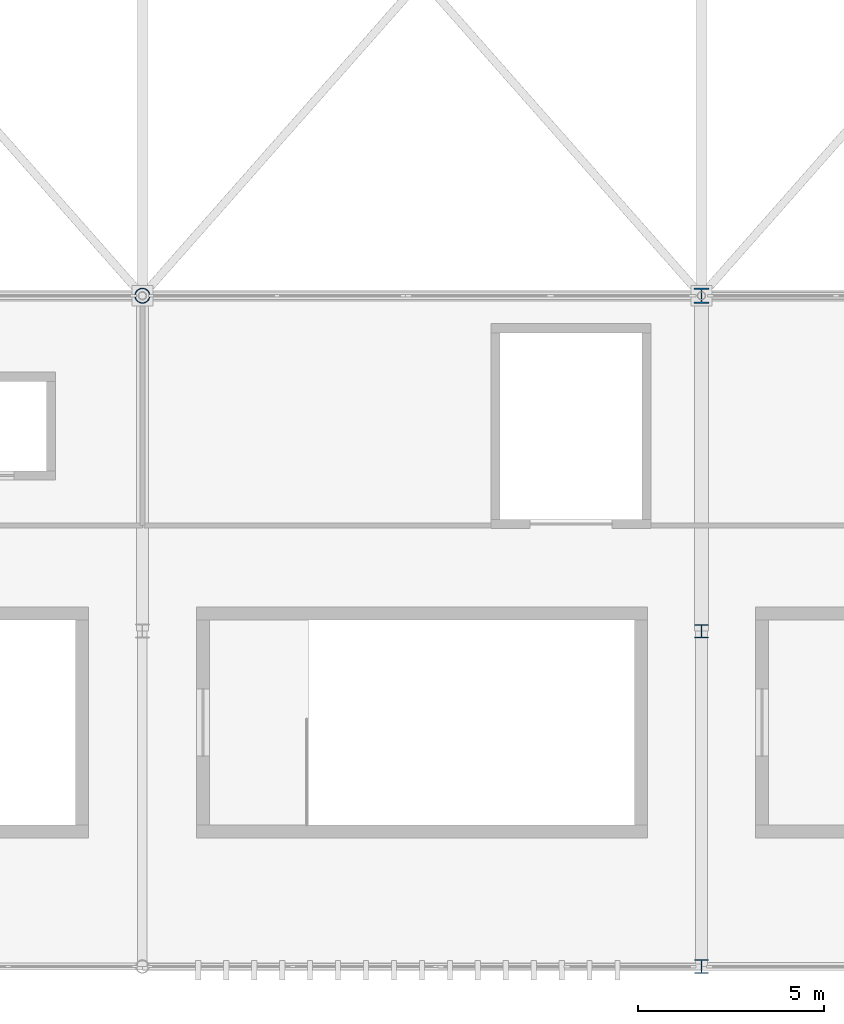
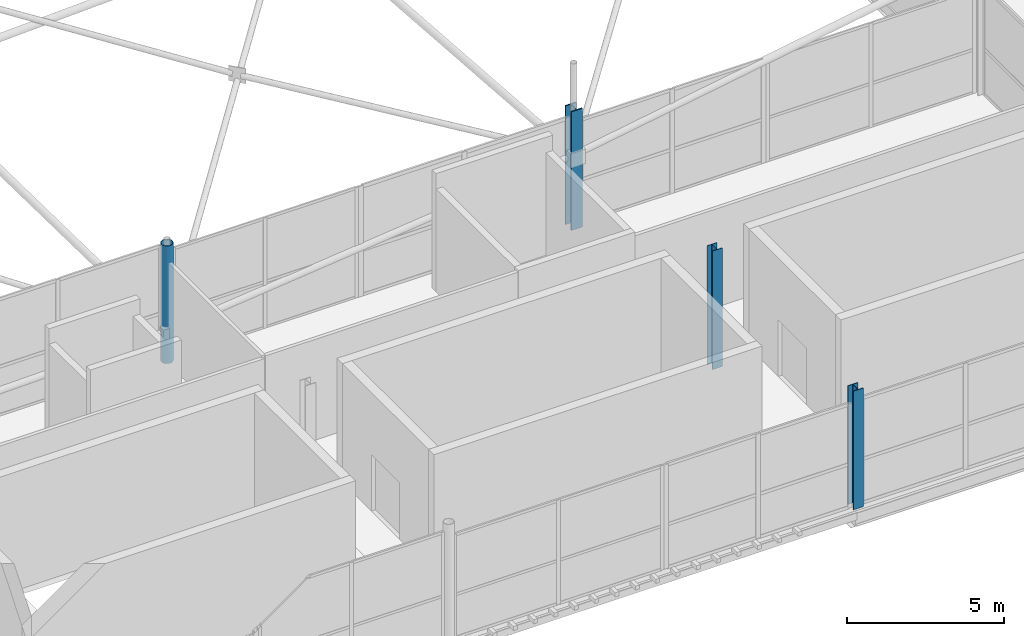
# One storey, part 4 of 224: 4 columns.
"""IFC4 building model written with IfcOpenShell, lengths in metres."""

from ifc_helpers import new_model, si_unit, direction, frame, origin, origin_2d, place, context, subcontext, project, spatial, hollow_circle, i_section, extrude, material, material_profile, profile_set, type_object, element, save


model = new_model("IFC4")

# Units and contexts
model_context = context("Model", 3, precision=1e-05, world=origin(), true_north=direction((0.0, 1.0)))
body_context = subcontext(model_context, "Body", "Model", "MODEL_VIEW")
ifc_project = project(units=[si_unit("LENGTHUNIT", "METRE"), si_unit("AREAUNIT", "SQUARE_METRE"), si_unit("VOLUMEUNIT", "CUBIC_METRE"), si_unit("PLANEANGLEUNIT", "RADIAN"), si_unit("MASSUNIT", "GRAM", prefix="KILO")], contexts=[model_context])

# Site, building, storey
site_placement = place(None, origin())
site = spatial("IfcSite", under=ifc_project, at=site_placement, CompositionType="ELEMENT")
building_placement = place(site_placement, origin())
building = spatial("IfcBuilding", under=site, at=building_placement, Name="Qamarlyn Nura Convention Centre", CompositionType="ELEMENT")
storey_placement = place(building_placement, frame((0.0, 0.0, 10.800048828125)))
storey = spatial("IfcBuildingStorey", under=building, at=storey_placement, Name="L02", CompositionType="ELEMENT", Elevation=10.800048828125)

# Columns
ifc_material_1 = material(Name="Steel ASTM A992", Category="steel")
ifc_material_profile_1 = material_profile(ifc_material_1, i_section(OverallWidth=0.408935546875, OverallDepth=0.425048828125, WebThickness=0.030517578125, FlangeThickness=0.049072265625, FilletRadius=0.02001953125, at=origin_2d()), Name="W360X421")
ifc_profile_set_1 = profile_set([ifc_material_profile_1], Name="Steel ASTM A992")
column_type_1 = type_object("IfcColumnType", Name="COL-MEGA-1", PredefinedType="COLUMN", material=ifc_profile_set_1)
column_1_placement = place(storey_placement, frame((105.0, 18.0, 0.0), z_axis=(0.0, 0.0, 1.0), x_axis=(1.0, 0.0, 0.0)))
element("IfcColumn", 1, at=column_1_placement, inside=storey, type_object=column_type_1, Name="L02 column 8/C", PredefinedType="COLUMN", context=body_context, shape_type="SweptSolid", body=[
    extrude(i_section(OverallWidth=0.408935546875, OverallDepth=0.425048828125, WebThickness=0.030517578125, FlangeThickness=0.049072265625, FilletRadius=0.02001953125, at=origin_2d()), origin(), (0.0, 0.0, 1.0), 4.625),
])
ifc_material_2 = material(Name="Pearl-white PVDF steel ASTM A500 Grade C", Category="steel")
ifc_material_profile_2 = material_profile(ifc_material_2, hollow_circle(Radius=0.203125, WallThickness=0.01611328125, at=origin_2d()), Name="CHS406.4X16")
ifc_profile_set_2 = profile_set([ifc_material_profile_2], Name="Pearl-white PVDF steel ASTM A500 Grade C")
column_type_2 = type_object("IfcColumnType", Name="COL-TUBE-1", PredefinedType="COLUMN", material=ifc_profile_set_2)
column_2_placement = place(storey_placement, frame((90.0, 18.0, 0.0), z_axis=(0.0, 0.0, 1.0), x_axis=(1.0, 0.0, 0.0)))
element("IfcColumn", 2, at=column_2_placement, inside=storey, type_object=column_type_2, Name="L02 column 7/C", PredefinedType="COLUMN", context=body_context, shape_type="SweptSolid", body=[
    extrude(hollow_circle(Radius=0.203125, WallThickness=0.01611328125, at=origin_2d()), origin(), (0.0, 0.0, 1.0), 4.58984375),
])
ifc_material_profile_3 = material_profile(ifc_material_1, i_section(OverallWidth=0.3740234375, OverallDepth=0.3720703125, WebThickness=0.016357421875, FlangeThickness=0.026123046875, FilletRadius=0.01611328125, at=origin_2d()), Name="W360X196")
ifc_profile_set_3 = profile_set([ifc_material_profile_3], Name="Steel ASTM A992")
column_type_3 = type_object("IfcColumnType", Name="COL-WING-2", PredefinedType="COLUMN", material=ifc_profile_set_3)
column_3_placement = place(storey_placement, frame((105.0, 0.0, 0.0), z_axis=(0.0, 0.0, 1.0), x_axis=(1.0, 0.0, 0.0)))
element("IfcColumn", 3, at=column_3_placement, inside=storey, type_object=column_type_3, Name="L02 column 8/A", PredefinedType="COLUMN", context=body_context, shape_type="SweptSolid", body=[
    extrude(i_section(OverallWidth=0.3740234375, OverallDepth=0.3720703125, WebThickness=0.016357421875, FlangeThickness=0.026123046875, FilletRadius=0.01611328125, at=origin_2d()), origin(), (0.0, 0.0, 1.0), 4.625),
])
ifc_material_profile_4 = material_profile(ifc_material_1, i_section(OverallWidth=0.368896484375, OverallDepth=0.35595703125, WebThickness=0.01123046875, FlangeThickness=0.01806640625, FilletRadius=0.014892578125, at=origin_2d()), Name="W360X134")
ifc_profile_set_4 = profile_set([ifc_material_profile_4], Name="Steel ASTM A992")
column_type_4 = type_object("IfcColumnType", Name="COL-WING-3", PredefinedType="COLUMN", material=ifc_profile_set_4)
column_4_placement = place(storey_placement, frame((105.0, 9.0, 0.0), z_axis=(0.0, 0.0, 1.0), x_axis=(1.0, 0.0, 0.0)))
element("IfcColumn", 4, at=column_4_placement, inside=storey, type_object=column_type_4, Name="L02 column 8/B", PredefinedType="COLUMN", context=body_context, shape_type="SweptSolid", body=[
    extrude(i_section(OverallWidth=0.368896484375, OverallDepth=0.35595703125, WebThickness=0.01123046875, FlangeThickness=0.01806640625, FilletRadius=0.014892578125, at=origin_2d()), origin(), (0.0, 0.0, 1.0), 4.625),
])

save(model, "model.ifc")
